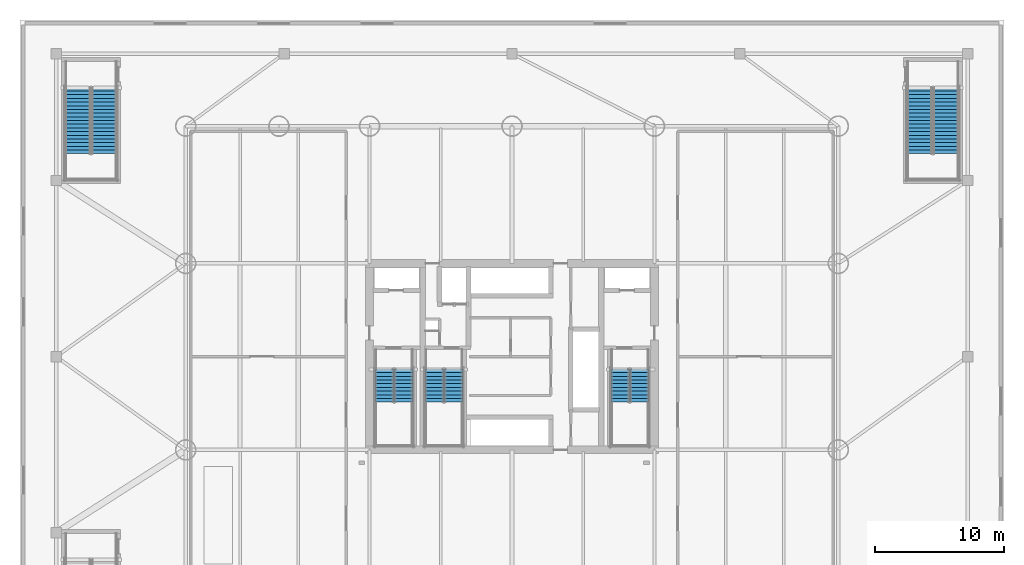
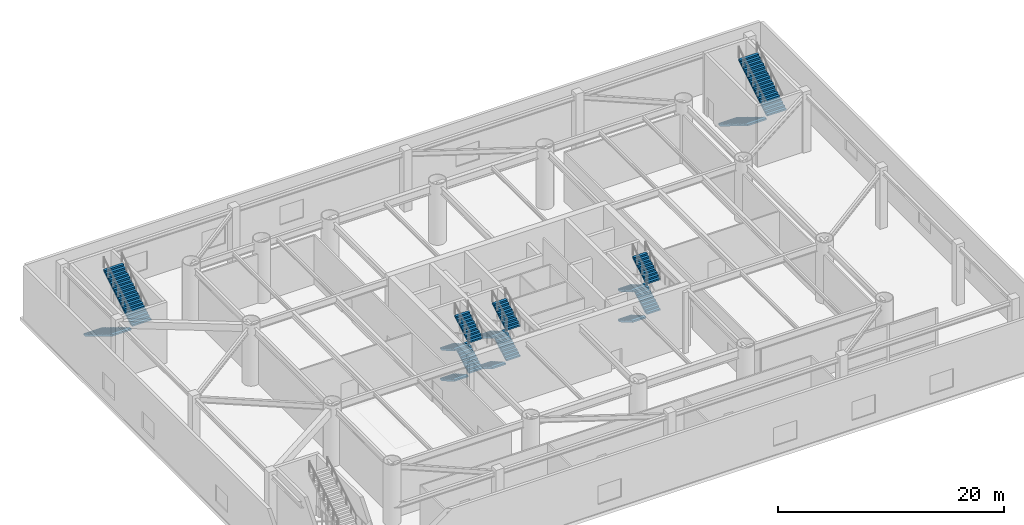
# One storey, part 9 of 16: 16 stair flights, 5 elements without a shape of their own.
"""IFC4 building model written with IfcOpenShell, lengths in metres."""

from ifc_helpers import new_model, si_unit, direction, frame, origin, place, context, subcontext, project, spatial, polyline, outline, extrude, material, type_object, element, aggregate, save


model = new_model("IFC4")

# Units and contexts
model_context = context("Model", 3, precision=1e-05, world=origin(), true_north=direction((0.0, 1.0)))
body_context = subcontext(model_context, "Body", "Model", "MODEL_VIEW")
ifc_project = project(units=[si_unit("LENGTHUNIT", "METRE"), si_unit("AREAUNIT", "SQUARE_METRE"), si_unit("VOLUMEUNIT", "CUBIC_METRE"), si_unit("PLANEANGLEUNIT", "RADIAN"), si_unit("MASSUNIT", "GRAM", prefix="KILO")], contexts=[model_context])

# Site, building, storey
site_placement = place(None, origin())
site = spatial("IfcSite", under=ifc_project, at=site_placement, CompositionType="ELEMENT")
building_placement = place(site_placement, origin())
building = spatial("IfcBuilding", under=site, at=building_placement, Name="Bramvorn Convention Spire", CompositionType="ELEMENT")
storey_placement = place(building_placement, frame((0.0, 0.0, 12.0)))
storey = spatial("IfcBuildingStorey", under=building, at=storey_placement, Name="L02", CompositionType="ELEMENT", Elevation=12.0)

# Stair, stair flights
ifc_material_1 = material(Name="Concrete C40/50 Grand Exit Stair", Category="concrete")
stair_type_1 = type_object("IfcStairType", Name="ST-PODIUM-1950", PredefinedType="HALF_TURN_STAIR", material=ifc_material_1)
stair_1_placement = place(storey_placement, origin())
stair_1 = element("IfcStair", 1, at=stair_1_placement, inside=storey, type_object=stair_type_1, Name="L02 Protected Exit Stair ST5", PredefinedType="HALF_TURN_STAIR")
ifc_material_2 = material(Name="Concrete C40/50 Precast Stair Flight", Category="concrete")
stair_flight_type_1 = type_object("IfcStairFlightType", Name="STF-PODIUM-1950", PredefinedType="STRAIGHT", material=ifc_material_2)
stair_flight_1_placement = place(storey_placement, frame((69.4951171875, 46.800048828125, 0.0), z_axis=(0.0, 0.0, 1.0), x_axis=(0.0, -1.0, 0.0)))
stair_flight_1 = element("IfcStairFlight", 2, at=stair_flight_1_placement, type_object=stair_flight_type_1, Name="ST5 flight 1", NumberOfRisers=19, NumberOfTreads=18, PredefinedType="STRAIGHT", RiserHeight=0.173684211, TreadLength=0.285, context=body_context, shape_type="SweptSolid", body=[
    extrude(outline(polyline([(0.0, 0.0), (0.0, 0.173583984375), (0.284912109375, 0.173583984375), (0.284912109375, 0.347412109375), (0.570068359375, 0.347412109375), (0.570068359375, 0.52099609375), (0.85498046875, 0.52099609375), (0.85498046875, 0.69482421875), (1.139892578125, 0.69482421875), (1.139892578125, 0.868408203125), (1.425048828125, 0.868408203125), (1.425048828125, 1.0419921875), (1.7099609375, 1.0419921875), (1.7099609375, 1.2158203125), (1.9951171875, 1.2158203125), (1.9951171875, 1.389404296875), (2.280029296875, 1.389404296875), (2.280029296875, 1.563232421875), (2.56494140625, 1.563232421875), (2.56494140625, 1.73681640625), (2.85009765625, 1.73681640625), (2.85009765625, 1.91064453125), (3.135009765625, 1.91064453125), (3.135009765625, 2.084228515625), (3.419921875, 2.084228515625), (3.419921875, 2.2578125), (3.705078125, 2.2578125), (3.705078125, 2.431640625), (3.989990234375, 2.431640625), (3.989990234375, 2.605224609375), (4.27490234375, 2.605224609375), (4.27490234375, 2.779052734375), (4.56005859375, 2.779052734375), (4.56005859375, 2.95263671875), (4.844970703125, 2.95263671875), (4.844970703125, 3.126220703125), (5.1298828125, 3.126220703125), (5.1298828125, 3.300048828125), (5.1298828125, 2.95068359375), (0.2880859375, 0.0), (0.0, 0.0)])), frame((0.0, 0.97509765625, 0.0), z_axis=(0.0, -1.0, 0.0), x_axis=(1.0, 0.0, 0.0)), (0.0, 0.0, 1.0), 1.949951171875),
])
stair_flight_2_placement = place(storey_placement, frame((71.52490234375, 41.669921875, 3.300048828125), z_axis=(0.0, 0.0, 1.0), x_axis=(0.0, 1.0, 0.0)))
stair_flight_2 = element("IfcStairFlight", 3, at=stair_flight_2_placement, type_object=stair_flight_type_1, Name="ST5 flight 2", NumberOfRisers=19, NumberOfTreads=18, PredefinedType="STRAIGHT", RiserHeight=0.173684211, TreadLength=0.285, context=body_context, shape_type="SweptSolid", body=[
    extrude(outline(polyline([(0.0, 0.0), (0.0, 0.173583984375), (0.284912109375, 0.173583984375), (0.284912109375, 0.347412109375), (0.570068359375, 0.347412109375), (0.570068359375, 0.52099609375), (0.85498046875, 0.52099609375), (0.85498046875, 0.69482421875), (1.139892578125, 0.69482421875), (1.139892578125, 0.868408203125), (1.425048828125, 0.868408203125), (1.425048828125, 1.0419921875), (1.7099609375, 1.0419921875), (1.7099609375, 1.2158203125), (1.9951171875, 1.2158203125), (1.9951171875, 1.389404296875), (2.280029296875, 1.389404296875), (2.280029296875, 1.563232421875), (2.56494140625, 1.563232421875), (2.56494140625, 1.73681640625), (2.85009765625, 1.73681640625), (2.85009765625, 1.91064453125), (3.135009765625, 1.91064453125), (3.135009765625, 2.084228515625), (3.419921875, 2.084228515625), (3.419921875, 2.2578125), (3.705078125, 2.2578125), (3.705078125, 2.431640625), (3.989990234375, 2.431640625), (3.989990234375, 2.605224609375), (4.27490234375, 2.605224609375), (4.27490234375, 2.779052734375), (4.56005859375, 2.779052734375), (4.56005859375, 2.95263671875), (4.844970703125, 2.95263671875), (4.844970703125, 3.126220703125), (5.1298828125, 3.126220703125), (5.1298828125, 3.300048828125), (5.1298828125, 2.95068359375), (0.2880859375, 0.0), (0.0, 0.0)])), frame((0.0, 0.97509765625, 0.0), z_axis=(0.0, -1.0, 0.0), x_axis=(1.0, 0.0, 0.0)), (0.0, 0.0, 1.0), 1.949951171875),
])
aggregate(stair_1, [stair_flight_1, stair_flight_2])

stair_2_placement = place(storey_placement, origin())
stair_2 = element("IfcStair", 4, at=stair_2_placement, inside=storey, type_object=stair_type_1, Name="L02 Protected Exit Stair ST6", PredefinedType="HALF_TURN_STAIR")
stair_flight_3_placement = place(storey_placement, frame((4.47509765625, 46.800048828125, 0.0), z_axis=(0.0, 0.0, 1.0), x_axis=(0.0, -1.0, 0.0)))
stair_flight_3 = element("IfcStairFlight", 5, at=stair_flight_3_placement, type_object=stair_flight_type_1, Name="ST6 flight 1", NumberOfRisers=19, NumberOfTreads=18, PredefinedType="STRAIGHT", RiserHeight=0.173684211, TreadLength=0.285, context=body_context, shape_type="SweptSolid", body=[
    extrude(outline(polyline([(0.0, 0.0), (0.0, 0.173583984375), (0.284912109375, 0.173583984375), (0.284912109375, 0.347412109375), (0.570068359375, 0.347412109375), (0.570068359375, 0.52099609375), (0.85498046875, 0.52099609375), (0.85498046875, 0.69482421875), (1.139892578125, 0.69482421875), (1.139892578125, 0.868408203125), (1.425048828125, 0.868408203125), (1.425048828125, 1.0419921875), (1.7099609375, 1.0419921875), (1.7099609375, 1.2158203125), (1.9951171875, 1.2158203125), (1.9951171875, 1.389404296875), (2.280029296875, 1.389404296875), (2.280029296875, 1.563232421875), (2.56494140625, 1.563232421875), (2.56494140625, 1.73681640625), (2.85009765625, 1.73681640625), (2.85009765625, 1.91064453125), (3.135009765625, 1.91064453125), (3.135009765625, 2.084228515625), (3.419921875, 2.084228515625), (3.419921875, 2.2578125), (3.705078125, 2.2578125), (3.705078125, 2.431640625), (3.989990234375, 2.431640625), (3.989990234375, 2.605224609375), (4.27490234375, 2.605224609375), (4.27490234375, 2.779052734375), (4.56005859375, 2.779052734375), (4.56005859375, 2.95263671875), (4.844970703125, 2.95263671875), (4.844970703125, 3.126220703125), (5.1298828125, 3.126220703125), (5.1298828125, 3.300048828125), (5.1298828125, 2.95068359375), (0.2880859375, 0.0), (0.0, 0.0)])), frame((0.0, 0.97509765625, 0.0), z_axis=(0.0, -1.0, 0.0), x_axis=(1.0, 0.0, 0.0)), (0.0, 0.0, 1.0), 1.949951171875),
])
stair_flight_4_placement = place(storey_placement, frame((6.5048828125, 41.669921875, 3.300048828125), z_axis=(0.0, 0.0, 1.0), x_axis=(0.0, 1.0, 0.0)))
stair_flight_4 = element("IfcStairFlight", 6, at=stair_flight_4_placement, type_object=stair_flight_type_1, Name="ST6 flight 2", NumberOfRisers=19, NumberOfTreads=18, PredefinedType="STRAIGHT", RiserHeight=0.173684211, TreadLength=0.285, context=body_context, shape_type="SweptSolid", body=[
    extrude(outline(polyline([(0.0, 0.0), (0.0, 0.173583984375), (0.284912109375, 0.173583984375), (0.284912109375, 0.347412109375), (0.570068359375, 0.347412109375), (0.570068359375, 0.52099609375), (0.85498046875, 0.52099609375), (0.85498046875, 0.69482421875), (1.139892578125, 0.69482421875), (1.139892578125, 0.868408203125), (1.425048828125, 0.868408203125), (1.425048828125, 1.0419921875), (1.7099609375, 1.0419921875), (1.7099609375, 1.2158203125), (1.9951171875, 1.2158203125), (1.9951171875, 1.389404296875), (2.280029296875, 1.389404296875), (2.280029296875, 1.563232421875), (2.56494140625, 1.563232421875), (2.56494140625, 1.73681640625), (2.85009765625, 1.73681640625), (2.85009765625, 1.91064453125), (3.135009765625, 1.91064453125), (3.135009765625, 2.084228515625), (3.419921875, 2.084228515625), (3.419921875, 2.2578125), (3.705078125, 2.2578125), (3.705078125, 2.431640625), (3.989990234375, 2.431640625), (3.989990234375, 2.605224609375), (4.27490234375, 2.605224609375), (4.27490234375, 2.779052734375), (4.56005859375, 2.779052734375), (4.56005859375, 2.95263671875), (4.844970703125, 2.95263671875), (4.844970703125, 3.126220703125), (5.1298828125, 3.126220703125), (5.1298828125, 3.300048828125), (5.1298828125, 2.95068359375), (0.2880859375, 0.0), (0.0, 0.0)])), frame((0.0, 0.97509765625, 0.0), z_axis=(0.0, -1.0, 0.0), x_axis=(1.0, 0.0, 0.0)), (0.0, 0.0, 1.0), 1.949951171875),
])
aggregate(stair_2, [stair_flight_3, stair_flight_4])

ifc_material_3 = material(Name="Concrete C40/50 Precast Stair", Category="concrete")
stair_type_2 = type_object("IfcStairType", Name="ST-TOWER-1550", PredefinedType="HALF_TURN_STAIR", material=ifc_material_3)
stair_3_placement = place(storey_placement, origin())
stair_3 = element("IfcStair", 7, at=stair_3_placement, inside=storey, type_object=stair_type_2, Name="L02 Protected Exit Stair ST1", PredefinedType="HALF_TURN_STAIR")
stair_flight_type_2 = type_object("IfcStairFlightType", Name="STF-TOWER-1550", PredefinedType="STRAIGHT", material=ifc_material_2)
stair_flight_5_placement = place(storey_placement, frame((28.155029296875, 25.050048828125, 0.0), z_axis=(0.0, 0.0, 1.0), x_axis=(0.0, -1.0, 0.0)))
stair_flight_5 = element("IfcStairFlight", 8, at=stair_flight_5_placement, type_object=stair_flight_type_2, Name="ST1 flight 1", NumberOfRisers=10, NumberOfTreads=9, PredefinedType="STRAIGHT", RiserHeight=0.165, TreadLength=0.285, context=body_context, shape_type="SweptSolid", body=[
    extrude(outline(polyline([(0.0, 0.0), (0.0, 0.1650390625), (0.284912109375, 0.1650390625), (0.284912109375, 0.330078125), (0.570068359375, 0.330078125), (0.570068359375, 0.4951171875), (0.85498046875, 0.4951171875), (0.85498046875, 0.659912109375), (1.139892578125, 0.659912109375), (1.139892578125, 0.824951171875), (1.425048828125, 0.824951171875), (1.425048828125, 0.989990234375), (1.7099609375, 0.989990234375), (1.7099609375, 1.155029296875), (1.9951171875, 1.155029296875), (1.9951171875, 1.320068359375), (2.280029296875, 1.320068359375), (2.280029296875, 1.485107421875), (2.56494140625, 1.485107421875), (2.56494140625, 1.64990234375), (2.56494140625, 1.311767578125), (0.299072265625, 0.0), (0.0, 0.0)])), frame((0.0, 0.705078125, 0.0), z_axis=(0.0, -1.0, 0.0), x_axis=(1.0, 0.0, 0.0)), (0.0, 0.0, 1.0), 1.409912109375),
])
stair_flight_6_placement = place(storey_placement, frame((29.64501953125, 22.485107421875, 1.64990234375), z_axis=(0.0, 0.0, 1.0), x_axis=(0.0, 1.0, 0.0)))
stair_flight_6 = element("IfcStairFlight", 9, at=stair_flight_6_placement, type_object=stair_flight_type_2, Name="ST1 flight 2", NumberOfRisers=10, NumberOfTreads=9, PredefinedType="STRAIGHT", RiserHeight=0.165, TreadLength=0.285, context=body_context, shape_type="SweptSolid", body=[
    extrude(outline(polyline([(0.0, 0.0), (0.0, 0.1650390625), (0.284912109375, 0.1650390625), (0.284912109375, 0.330078125), (0.570068359375, 0.330078125), (0.570068359375, 0.4951171875), (0.85498046875, 0.4951171875), (0.85498046875, 0.659912109375), (1.139892578125, 0.659912109375), (1.139892578125, 0.824951171875), (1.425048828125, 0.824951171875), (1.425048828125, 0.989990234375), (1.7099609375, 0.989990234375), (1.7099609375, 1.155029296875), (1.9951171875, 1.155029296875), (1.9951171875, 1.320068359375), (2.280029296875, 1.320068359375), (2.280029296875, 1.485107421875), (2.56494140625, 1.485107421875), (2.56494140625, 1.64990234375), (2.56494140625, 1.311767578125), (0.299072265625, 0.0), (0.0, 0.0)])), frame((0.0, 0.705078125, 0.0), z_axis=(0.0, -1.0, 0.0), x_axis=(1.0, 0.0, 0.0)), (0.0, 0.0, 1.0), 1.409912109375),
])
stair_flight_7_placement = place(storey_placement, frame((28.155029296875, 25.050048828125, 3.300048828125), z_axis=(0.0, 0.0, 1.0), x_axis=(0.0, -1.0, 0.0)))
stair_flight_7 = element("IfcStairFlight", 10, at=stair_flight_7_placement, type_object=stair_flight_type_2, Name="ST1 flight 3", NumberOfRisers=10, NumberOfTreads=9, PredefinedType="STRAIGHT", RiserHeight=0.165, TreadLength=0.285, context=body_context, shape_type="SweptSolid", body=[
    extrude(outline(polyline([(0.0, 0.0), (0.0, 0.1650390625), (0.284912109375, 0.1650390625), (0.284912109375, 0.330078125), (0.570068359375, 0.330078125), (0.570068359375, 0.4951171875), (0.85498046875, 0.4951171875), (0.85498046875, 0.659912109375), (1.139892578125, 0.659912109375), (1.139892578125, 0.824951171875), (1.425048828125, 0.824951171875), (1.425048828125, 0.989990234375), (1.7099609375, 0.989990234375), (1.7099609375, 1.155029296875), (1.9951171875, 1.155029296875), (1.9951171875, 1.320068359375), (2.280029296875, 1.320068359375), (2.280029296875, 1.485107421875), (2.56494140625, 1.485107421875), (2.56494140625, 1.64990234375), (2.56494140625, 1.311767578125), (0.299072265625, 0.0), (0.0, 0.0)])), frame((0.0, 0.705078125, 0.0), z_axis=(0.0, -1.0, 0.0), x_axis=(1.0, 0.0, 0.0)), (0.0, 0.0, 1.0), 1.409912109375),
])
stair_flight_8_placement = place(storey_placement, frame((29.64501953125, 22.485107421875, 4.949951171875), z_axis=(0.0, 0.0, 1.0), x_axis=(0.0, 1.0, 0.0)))
stair_flight_8 = element("IfcStairFlight", 11, at=stair_flight_8_placement, type_object=stair_flight_type_2, Name="ST1 flight 4", NumberOfRisers=10, NumberOfTreads=9, PredefinedType="STRAIGHT", RiserHeight=0.165, TreadLength=0.285, context=body_context, shape_type="SweptSolid", body=[
    extrude(outline(polyline([(0.0, 0.0), (0.0, 0.1650390625), (0.284912109375, 0.1650390625), (0.284912109375, 0.330078125), (0.570068359375, 0.330078125), (0.570068359375, 0.4951171875), (0.85498046875, 0.4951171875), (0.85498046875, 0.659912109375), (1.139892578125, 0.659912109375), (1.139892578125, 0.824951171875), (1.425048828125, 0.824951171875), (1.425048828125, 0.989990234375), (1.7099609375, 0.989990234375), (1.7099609375, 1.155029296875), (1.9951171875, 1.155029296875), (1.9951171875, 1.320068359375), (2.280029296875, 1.320068359375), (2.280029296875, 1.485107421875), (2.56494140625, 1.485107421875), (2.56494140625, 1.64990234375), (2.56494140625, 1.311767578125), (0.299072265625, 0.0), (0.0, 0.0)])), frame((0.0, 0.705078125, 0.0), z_axis=(0.0, -1.0, 0.0), x_axis=(1.0, 0.0, 0.0)), (0.0, 0.0, 1.0), 1.409912109375),
])
aggregate(stair_3, [stair_flight_5, stair_flight_6, stair_flight_7, stair_flight_8])

stair_4_placement = place(storey_placement, origin())
stair_4 = element("IfcStair", 12, at=stair_4_placement, inside=storey, type_object=stair_type_2, Name="L02 Protected Exit Stair ST2", PredefinedType="HALF_TURN_STAIR")
stair_flight_9_placement = place(storey_placement, frame((46.35498046875, 25.050048828125, 0.0), z_axis=(0.0, 0.0, 1.0), x_axis=(0.0, -1.0, 0.0)))
stair_flight_9 = element("IfcStairFlight", 13, at=stair_flight_9_placement, type_object=stair_flight_type_2, Name="ST2 flight 1", NumberOfRisers=10, NumberOfTreads=9, PredefinedType="STRAIGHT", RiserHeight=0.165, TreadLength=0.285, context=body_context, shape_type="SweptSolid", body=[
    extrude(outline(polyline([(0.0, 0.0), (0.0, 0.1650390625), (0.284912109375, 0.1650390625), (0.284912109375, 0.330078125), (0.570068359375, 0.330078125), (0.570068359375, 0.4951171875), (0.85498046875, 0.4951171875), (0.85498046875, 0.659912109375), (1.139892578125, 0.659912109375), (1.139892578125, 0.824951171875), (1.425048828125, 0.824951171875), (1.425048828125, 0.989990234375), (1.7099609375, 0.989990234375), (1.7099609375, 1.155029296875), (1.9951171875, 1.155029296875), (1.9951171875, 1.320068359375), (2.280029296875, 1.320068359375), (2.280029296875, 1.485107421875), (2.56494140625, 1.485107421875), (2.56494140625, 1.64990234375), (2.56494140625, 1.311767578125), (0.299072265625, 0.0), (0.0, 0.0)])), frame((0.0, 0.705078125, 0.0), z_axis=(0.0, -1.0, 0.0), x_axis=(1.0, 0.0, 0.0)), (0.0, 0.0, 1.0), 1.409912109375),
])
stair_flight_10_placement = place(storey_placement, frame((47.844970703125, 22.485107421875, 1.64990234375), z_axis=(0.0, 0.0, 1.0), x_axis=(0.0, 1.0, 0.0)))
stair_flight_10 = element("IfcStairFlight", 14, at=stair_flight_10_placement, type_object=stair_flight_type_2, Name="ST2 flight 2", NumberOfRisers=10, NumberOfTreads=9, PredefinedType="STRAIGHT", RiserHeight=0.165, TreadLength=0.285, context=body_context, shape_type="SweptSolid", body=[
    extrude(outline(polyline([(0.0, 0.0), (0.0, 0.1650390625), (0.284912109375, 0.1650390625), (0.284912109375, 0.330078125), (0.570068359375, 0.330078125), (0.570068359375, 0.4951171875), (0.85498046875, 0.4951171875), (0.85498046875, 0.659912109375), (1.139892578125, 0.659912109375), (1.139892578125, 0.824951171875), (1.425048828125, 0.824951171875), (1.425048828125, 0.989990234375), (1.7099609375, 0.989990234375), (1.7099609375, 1.155029296875), (1.9951171875, 1.155029296875), (1.9951171875, 1.320068359375), (2.280029296875, 1.320068359375), (2.280029296875, 1.485107421875), (2.56494140625, 1.485107421875), (2.56494140625, 1.64990234375), (2.56494140625, 1.311767578125), (0.299072265625, 0.0), (0.0, 0.0)])), frame((0.0, 0.705078125, 0.0), z_axis=(0.0, -1.0, 0.0), x_axis=(1.0, 0.0, 0.0)), (0.0, 0.0, 1.0), 1.409912109375),
])
stair_flight_11_placement = place(storey_placement, frame((46.35498046875, 25.050048828125, 3.300048828125), z_axis=(0.0, 0.0, 1.0), x_axis=(0.0, -1.0, 0.0)))
stair_flight_11 = element("IfcStairFlight", 15, at=stair_flight_11_placement, type_object=stair_flight_type_2, Name="ST2 flight 3", NumberOfRisers=10, NumberOfTreads=9, PredefinedType="STRAIGHT", RiserHeight=0.165, TreadLength=0.285, context=body_context, shape_type="SweptSolid", body=[
    extrude(outline(polyline([(0.0, 0.0), (0.0, 0.1650390625), (0.284912109375, 0.1650390625), (0.284912109375, 0.330078125), (0.570068359375, 0.330078125), (0.570068359375, 0.4951171875), (0.85498046875, 0.4951171875), (0.85498046875, 0.659912109375), (1.139892578125, 0.659912109375), (1.139892578125, 0.824951171875), (1.425048828125, 0.824951171875), (1.425048828125, 0.989990234375), (1.7099609375, 0.989990234375), (1.7099609375, 1.155029296875), (1.9951171875, 1.155029296875), (1.9951171875, 1.320068359375), (2.280029296875, 1.320068359375), (2.280029296875, 1.485107421875), (2.56494140625, 1.485107421875), (2.56494140625, 1.64990234375), (2.56494140625, 1.311767578125), (0.299072265625, 0.0), (0.0, 0.0)])), frame((0.0, 0.705078125, 0.0), z_axis=(0.0, -1.0, 0.0), x_axis=(1.0, 0.0, 0.0)), (0.0, 0.0, 1.0), 1.409912109375),
])
stair_flight_12_placement = place(storey_placement, frame((47.844970703125, 22.485107421875, 4.949951171875), z_axis=(0.0, 0.0, 1.0), x_axis=(0.0, 1.0, 0.0)))
stair_flight_12 = element("IfcStairFlight", 16, at=stair_flight_12_placement, type_object=stair_flight_type_2, Name="ST2 flight 4", NumberOfRisers=10, NumberOfTreads=9, PredefinedType="STRAIGHT", RiserHeight=0.165, TreadLength=0.285, context=body_context, shape_type="SweptSolid", body=[
    extrude(outline(polyline([(0.0, 0.0), (0.0, 0.1650390625), (0.284912109375, 0.1650390625), (0.284912109375, 0.330078125), (0.570068359375, 0.330078125), (0.570068359375, 0.4951171875), (0.85498046875, 0.4951171875), (0.85498046875, 0.659912109375), (1.139892578125, 0.659912109375), (1.139892578125, 0.824951171875), (1.425048828125, 0.824951171875), (1.425048828125, 0.989990234375), (1.7099609375, 0.989990234375), (1.7099609375, 1.155029296875), (1.9951171875, 1.155029296875), (1.9951171875, 1.320068359375), (2.280029296875, 1.320068359375), (2.280029296875, 1.485107421875), (2.56494140625, 1.485107421875), (2.56494140625, 1.64990234375), (2.56494140625, 1.311767578125), (0.299072265625, 0.0), (0.0, 0.0)])), frame((0.0, 0.705078125, 0.0), z_axis=(0.0, -1.0, 0.0), x_axis=(1.0, 0.0, 0.0)), (0.0, 0.0, 1.0), 1.409912109375),
])
aggregate(stair_4, [stair_flight_9, stair_flight_10, stair_flight_11, stair_flight_12])

stair_5_placement = place(storey_placement, origin())
stair_5 = element("IfcStair", 17, at=stair_5_placement, inside=storey, type_object=stair_type_2, Name="L02 Protected Exit Stair ST3", PredefinedType="HALF_TURN_STAIR")
stair_flight_13_placement = place(storey_placement, frame((32.0048828125, 25.050048828125, 0.0), z_axis=(0.0, 0.0, 1.0), x_axis=(0.0, -1.0, 0.0)))
stair_flight_13 = element("IfcStairFlight", 18, at=stair_flight_13_placement, type_object=stair_flight_type_2, Name="ST3 flight 1", NumberOfRisers=10, NumberOfTreads=9, PredefinedType="STRAIGHT", RiserHeight=0.165, TreadLength=0.285, context=body_context, shape_type="SweptSolid", body=[
    extrude(outline(polyline([(0.0, 0.0), (0.0, 0.1650390625), (0.284912109375, 0.1650390625), (0.284912109375, 0.330078125), (0.570068359375, 0.330078125), (0.570068359375, 0.4951171875), (0.85498046875, 0.4951171875), (0.85498046875, 0.659912109375), (1.139892578125, 0.659912109375), (1.139892578125, 0.824951171875), (1.425048828125, 0.824951171875), (1.425048828125, 0.989990234375), (1.7099609375, 0.989990234375), (1.7099609375, 1.155029296875), (1.9951171875, 1.155029296875), (1.9951171875, 1.320068359375), (2.280029296875, 1.320068359375), (2.280029296875, 1.485107421875), (2.56494140625, 1.485107421875), (2.56494140625, 1.64990234375), (2.56494140625, 1.311767578125), (0.299072265625, 0.0), (0.0, 0.0)])), frame((0.0, 0.705078125, 0.0), z_axis=(0.0, -1.0, 0.0), x_axis=(1.0, 0.0, 0.0)), (0.0, 0.0, 1.0), 1.409912109375),
])
stair_flight_14_placement = place(storey_placement, frame((33.4951171875, 22.485107421875, 1.64990234375), z_axis=(0.0, 0.0, 1.0), x_axis=(0.0, 1.0, 0.0)))
stair_flight_14 = element("IfcStairFlight", 19, at=stair_flight_14_placement, type_object=stair_flight_type_2, Name="ST3 flight 2", NumberOfRisers=10, NumberOfTreads=9, PredefinedType="STRAIGHT", RiserHeight=0.165, TreadLength=0.285, context=body_context, shape_type="SweptSolid", body=[
    extrude(outline(polyline([(0.0, 0.0), (0.0, 0.1650390625), (0.284912109375, 0.1650390625), (0.284912109375, 0.330078125), (0.570068359375, 0.330078125), (0.570068359375, 0.4951171875), (0.85498046875, 0.4951171875), (0.85498046875, 0.659912109375), (1.139892578125, 0.659912109375), (1.139892578125, 0.824951171875), (1.425048828125, 0.824951171875), (1.425048828125, 0.989990234375), (1.7099609375, 0.989990234375), (1.7099609375, 1.155029296875), (1.9951171875, 1.155029296875), (1.9951171875, 1.320068359375), (2.280029296875, 1.320068359375), (2.280029296875, 1.485107421875), (2.56494140625, 1.485107421875), (2.56494140625, 1.64990234375), (2.56494140625, 1.311767578125), (0.299072265625, 0.0), (0.0, 0.0)])), frame((0.0, 0.705078125, 0.0), z_axis=(0.0, -1.0, 0.0), x_axis=(1.0, 0.0, 0.0)), (0.0, 0.0, 1.0), 1.409912109375),
])
stair_flight_15_placement = place(storey_placement, frame((32.0048828125, 25.050048828125, 3.300048828125), z_axis=(0.0, 0.0, 1.0), x_axis=(0.0, -1.0, 0.0)))
stair_flight_15 = element("IfcStairFlight", 20, at=stair_flight_15_placement, type_object=stair_flight_type_2, Name="ST3 flight 3", NumberOfRisers=10, NumberOfTreads=9, PredefinedType="STRAIGHT", RiserHeight=0.165, TreadLength=0.285, context=body_context, shape_type="SweptSolid", body=[
    extrude(outline(polyline([(0.0, 0.0), (0.0, 0.1650390625), (0.284912109375, 0.1650390625), (0.284912109375, 0.330078125), (0.570068359375, 0.330078125), (0.570068359375, 0.4951171875), (0.85498046875, 0.4951171875), (0.85498046875, 0.659912109375), (1.139892578125, 0.659912109375), (1.139892578125, 0.824951171875), (1.425048828125, 0.824951171875), (1.425048828125, 0.989990234375), (1.7099609375, 0.989990234375), (1.7099609375, 1.155029296875), (1.9951171875, 1.155029296875), (1.9951171875, 1.320068359375), (2.280029296875, 1.320068359375), (2.280029296875, 1.485107421875), (2.56494140625, 1.485107421875), (2.56494140625, 1.64990234375), (2.56494140625, 1.311767578125), (0.299072265625, 0.0), (0.0, 0.0)])), frame((0.0, 0.705078125, 0.0), z_axis=(0.0, -1.0, 0.0), x_axis=(1.0, 0.0, 0.0)), (0.0, 0.0, 1.0), 1.409912109375),
])
stair_flight_16_placement = place(storey_placement, frame((33.4951171875, 22.485107421875, 4.949951171875), z_axis=(0.0, 0.0, 1.0), x_axis=(0.0, 1.0, 0.0)))
stair_flight_16 = element("IfcStairFlight", 21, at=stair_flight_16_placement, type_object=stair_flight_type_2, Name="ST3 flight 4", NumberOfRisers=10, NumberOfTreads=9, PredefinedType="STRAIGHT", RiserHeight=0.165, TreadLength=0.285, context=body_context, shape_type="SweptSolid", body=[
    extrude(outline(polyline([(0.0, 0.0), (0.0, 0.1650390625), (0.284912109375, 0.1650390625), (0.284912109375, 0.330078125), (0.570068359375, 0.330078125), (0.570068359375, 0.4951171875), (0.85498046875, 0.4951171875), (0.85498046875, 0.659912109375), (1.139892578125, 0.659912109375), (1.139892578125, 0.824951171875), (1.425048828125, 0.824951171875), (1.425048828125, 0.989990234375), (1.7099609375, 0.989990234375), (1.7099609375, 1.155029296875), (1.9951171875, 1.155029296875), (1.9951171875, 1.320068359375), (2.280029296875, 1.320068359375), (2.280029296875, 1.485107421875), (2.56494140625, 1.485107421875), (2.56494140625, 1.64990234375), (2.56494140625, 1.311767578125), (0.299072265625, 0.0), (0.0, 0.0)])), frame((0.0, 0.705078125, 0.0), z_axis=(0.0, -1.0, 0.0), x_axis=(1.0, 0.0, 0.0)), (0.0, 0.0, 1.0), 1.409912109375),
])
aggregate(stair_5, [stair_flight_13, stair_flight_14, stair_flight_15, stair_flight_16])

save(model, "model.ifc")
